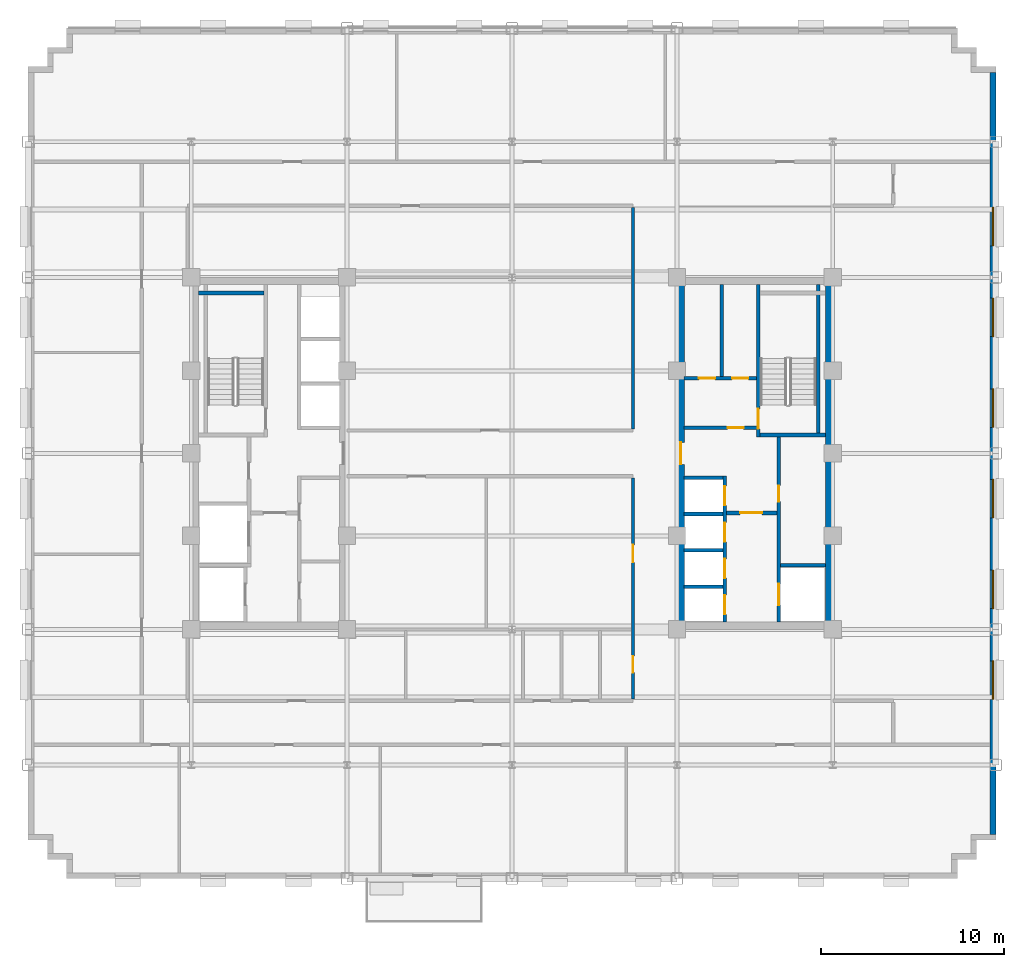
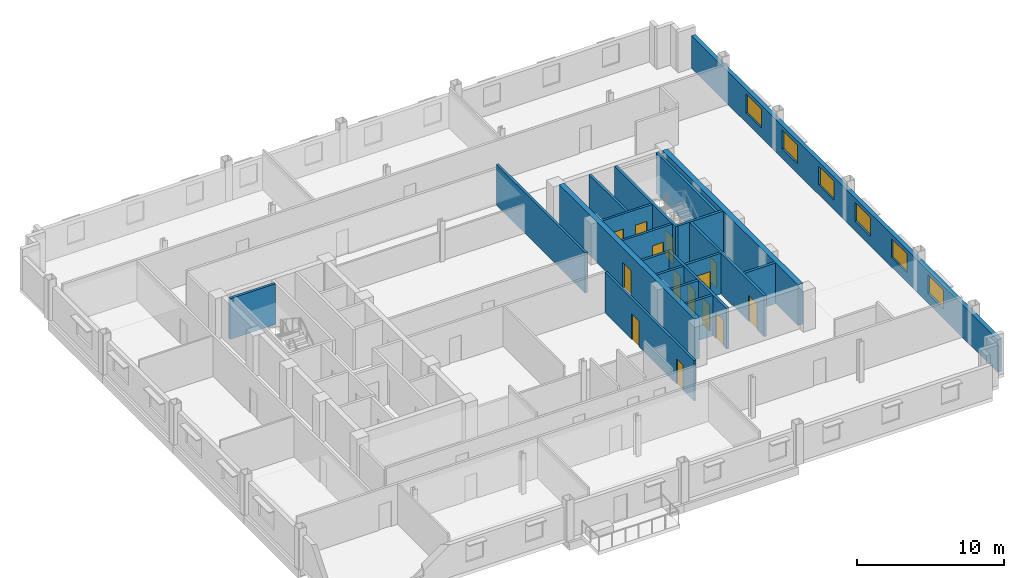
# One storey, part 8 of 13: 20 walls, 14 doors, 6 windows, 20 openings.
"""IFC4 building model written with IfcOpenShell, lengths in metres."""

from ifc_helpers import new_model, si_unit, direction, frame, frame_2d, origin, place, context, subcontext, project, spatial, rectangle, extrude, source, transform, mapped, material, layer, layer_set, type_object, type_shapes, element, fill, save


model = new_model("IFC4")

# Units and contexts
model_context = context("Model", 3, precision=1e-05, world=origin(), true_north=direction((0.0, 1.0)))
body_context = subcontext(model_context, "Body", "Model", "MODEL_VIEW")
ifc_project = project(units=[si_unit("LENGTHUNIT", "METRE"), si_unit("AREAUNIT", "SQUARE_METRE"), si_unit("VOLUMEUNIT", "CUBIC_METRE"), si_unit("PLANEANGLEUNIT", "RADIAN"), si_unit("MASSUNIT", "GRAM", prefix="KILO")], contexts=[model_context])

# Site, building, storey
site_placement = place(None, origin())
site = spatial("IfcSite", under=ifc_project, at=site_placement, CompositionType="ELEMENT")
building_placement = place(site_placement, origin())
building = spatial("IfcBuilding", under=site, at=building_placement, Name="Nuvemarco Arch Tower", CompositionType="ELEMENT")
storey_placement = place(building_placement, frame((0.0, 0.0, 153.050048828125)))
storey = spatial("IfcBuildingStorey", under=building, at=storey_placement, Name="L40", CompositionType="ELEMENT", Elevation=153.050048828125)

# Wall, openings, windows
ifc_material_1 = material(Name="Precast concrete C45/55", Category="concrete")
ifc_layer_1 = layer(ifc_material_1, 0.320068359375, Name="EW-MID-320")
ifc_layer_set_1 = layer_set([ifc_layer_1], Name="Precast concrete C45/55")
wall_type_1 = type_object("IfcWallType", Name="EW-MID-320", PredefinedType="STANDARD", material=ifc_layer_set_1)
wall_1_placement = place(storey_placement, frame((26.239990234375, -20.783935546875, 0.0), z_axis=(0.0, 0.0, 1.0), x_axis=(0.0, 1.0, 0.0)))
wall_1 = element("IfcWall", 1, at=wall_1_placement, inside=storey, type_object=wall_type_1, Name="L40 exterior precast facade wall 6", PredefinedType="STANDARD", context=body_context, shape_type="SweptSolid", body=[
    extrude(rectangle(XDim=41.56787109375, YDim=0.320068359375, at=frame_2d((20.783935546875, 0.0))), origin(), (0.0, 0.0, 1.0), 2.704833984375),
])
opening_1_placement = place(wall_1_placement, frame((7.368896484375, 0.0, 0.800048828125)))
opening_1 = element("IfcOpeningElement", 2, at=opening_1_placement, cuts=wall_1, Name="Opening WN-5", PredefinedType="OPENING", context=body_context, shape_type="SweptSolid", body=[
    extrude(rectangle(XDim=2.10009765625, YDim=1.56005859375, at=frame_2d((1.050048828125, 0.780029296875))), frame((0.0, 0.169921875, 0.0), z_axis=(0.0, -1.0, 0.0), x_axis=(1.0, 0.0, 0.0)), (0.0, 0.0, 1.0), 0.340087890625),
])
opening_2_placement = place(wall_1_placement, frame((12.31494140625, 0.0, 0.800048828125)))
opening_2 = element("IfcOpeningElement", 3, at=opening_2_placement, cuts=wall_1, Name="Opening WN-5", PredefinedType="OPENING", context=body_context, shape_type="SweptSolid", body=[
    extrude(rectangle(XDim=2.10009765625, YDim=1.56005859375, at=frame_2d((1.050048828125, 0.780029296875))), frame((0.0, 0.169921875, 0.0), z_axis=(0.0, -1.0, 0.0), x_axis=(1.0, 0.0, 0.0)), (0.0, 0.0, 1.0), 0.340087890625),
])
opening_3_placement = place(wall_1_placement, frame((17.260986328125, 0.0, 0.800048828125)))
opening_3 = element("IfcOpeningElement", 4, at=opening_3_placement, cuts=wall_1, Name="Opening WN-5", PredefinedType="OPENING", context=body_context, shape_type="SweptSolid", body=[
    extrude(rectangle(XDim=2.10009765625, YDim=1.56005859375, at=frame_2d((1.050048828125, 0.780029296875))), frame((0.0, 0.169921875, 0.0), z_axis=(0.0, -1.0, 0.0), x_axis=(1.0, 0.0, 0.0)), (0.0, 0.0, 1.0), 0.340087890625),
])
opening_4_placement = place(wall_1_placement, frame((22.20703125, 0.0, 0.800048828125)))
opening_4 = element("IfcOpeningElement", 5, at=opening_4_placement, cuts=wall_1, Name="Opening WN-5", PredefinedType="OPENING", context=body_context, shape_type="SweptSolid", body=[
    extrude(rectangle(XDim=2.10009765625, YDim=1.56005859375, at=frame_2d((1.050048828125, 0.780029296875))), frame((0.0, 0.169921875, 0.0), z_axis=(0.0, -1.0, 0.0), x_axis=(1.0, 0.0, 0.0)), (0.0, 0.0, 1.0), 0.340087890625),
])
opening_5_placement = place(wall_1_placement, frame((27.153076171875, 0.0, 0.800048828125)))
opening_5 = element("IfcOpeningElement", 6, at=opening_5_placement, cuts=wall_1, Name="Opening WN-5", PredefinedType="OPENING", context=body_context, shape_type="SweptSolid", body=[
    extrude(rectangle(XDim=2.10009765625, YDim=1.56005859375, at=frame_2d((1.050048828125, 0.780029296875))), frame((0.0, 0.169921875, 0.0), z_axis=(0.0, -1.0, 0.0), x_axis=(1.0, 0.0, 0.0)), (0.0, 0.0, 1.0), 0.340087890625),
])
opening_6_placement = place(wall_1_placement, frame((32.09912109375, 0.0, 0.800048828125)))
opening_6 = element("IfcOpeningElement", 7, at=opening_6_placement, cuts=wall_1, Name="Opening WN-5", PredefinedType="OPENING", context=body_context, shape_type="SweptSolid", body=[
    extrude(rectangle(XDim=2.10009765625, YDim=1.56005859375, at=frame_2d((1.050048828125, 0.780029296875))), frame((0.0, 0.169921875, 0.0), z_axis=(0.0, -1.0, 0.0), x_axis=(1.0, 0.0, 0.0)), (0.0, 0.0, 1.0), 0.340087890625),
])
ifc_material_2 = material(Name="Insulated solar-control glass", Category="glass")
window_type = type_object("IfcWindowType", Name="WN-MID-2100x1560", PartitioningType="DOUBLE_PANEL_VERTICAL", PredefinedType="WINDOW", material=ifc_material_2)
shared_shape_1 = source(origin(), body_context, "Body", "SweptSolid", [
    extrude(rectangle(XDim=2.10009765625, YDim=1.56005859375, at=frame_2d((1.050048828125, 0.780029296875))), frame((0.0, 0.030029296875, 0.0), z_axis=(0.0, -1.0, 0.0), x_axis=(1.0, 0.0, 0.0)), (0.0, 0.0, 1.0), 0.06005859375),
])
type_shapes(window_type, [shared_shape_1])
window_1_placement = place(opening_1_placement, origin())
window_1 = element("IfcWindow", 8, at=window_1_placement, inside=storey, type_object=window_type, Name="L40 punched facade window 2", OverallHeight=1.56005859375, OverallWidth=2.10009765625, PartitioningType="SINGLE_PANEL", PredefinedType="WINDOW", context=body_context, shape_type="MappedRepresentation", body=[
    mapped(shared_shape_1, transform((0.0, 0.0, 0.0), scale=1.0)),
])
fill(opening_1, window_1)
window_2_placement = place(opening_2_placement, origin())
window_2 = element("IfcWindow", 9, at=window_2_placement, inside=storey, type_object=window_type, Name="L40 punched facade window 3", OverallHeight=1.56005859375, OverallWidth=2.10009765625, PartitioningType="SINGLE_PANEL", PredefinedType="WINDOW", context=body_context, shape_type="MappedRepresentation", body=[
    mapped(shared_shape_1, transform((0.0, 0.0, 0.0), scale=1.0)),
])
fill(opening_2, window_2)
window_3_placement = place(opening_3_placement, origin())
window_3 = element("IfcWindow", 10, at=window_3_placement, inside=storey, type_object=window_type, Name="L40 punched facade window 4", OverallHeight=1.56005859375, OverallWidth=2.10009765625, PartitioningType="SINGLE_PANEL", PredefinedType="WINDOW", context=body_context, shape_type="MappedRepresentation", body=[
    mapped(shared_shape_1, transform((0.0, 0.0, 0.0), scale=1.0)),
])
fill(opening_3, window_3)
window_4_placement = place(opening_4_placement, origin())
window_4 = element("IfcWindow", 11, at=window_4_placement, inside=storey, type_object=window_type, Name="L40 punched facade window 5", OverallHeight=1.56005859375, OverallWidth=2.10009765625, PartitioningType="SINGLE_PANEL", PredefinedType="WINDOW", context=body_context, shape_type="MappedRepresentation", body=[
    mapped(shared_shape_1, transform((0.0, 0.0, 0.0), scale=1.0)),
])
fill(opening_4, window_4)
window_5_placement = place(opening_5_placement, origin())
window_5 = element("IfcWindow", 12, at=window_5_placement, inside=storey, type_object=window_type, Name="L40 punched facade window 6", OverallHeight=1.56005859375, OverallWidth=2.10009765625, PartitioningType="SINGLE_PANEL", PredefinedType="WINDOW", context=body_context, shape_type="MappedRepresentation", body=[
    mapped(shared_shape_1, transform((0.0, 0.0, 0.0), scale=1.0)),
])
fill(opening_5, window_5)
window_6_placement = place(opening_6_placement, origin())
window_6 = element("IfcWindow", 13, at=window_6_placement, inside=storey, type_object=window_type, Name="L40 punched facade window 7", OverallHeight=1.56005859375, OverallWidth=2.10009765625, PartitioningType="SINGLE_PANEL", PredefinedType="WINDOW", context=body_context, shape_type="MappedRepresentation", body=[
    mapped(shared_shape_1, transform((0.0, 0.0, 0.0), scale=1.0)),
])
fill(opening_6, window_6)

# Wall, opening, door
ifc_material_3 = material(Name="Concrete C60/75", Category="concrete")
ifc_layer_2 = layer(ifc_material_3, 0.39990234375, Name="WL-CORE-400")
ifc_layer_set_2 = layer_set([ifc_layer_2], Name="Concrete C60/75")
wall_type_2 = type_object("IfcWallType", Name="WL-CORE-400", PredefinedType="SHEAR", material=ifc_layer_set_2)
wall_2_placement = place(storey_placement, frame((9.199951171875, -9.205078125, 0.0), z_axis=(0.0, 0.0, 1.0), x_axis=(0.0, 1.0, 0.0)))
wall_2 = element("IfcWall", 14, at=wall_2_placement, inside=storey, type_object=wall_type_2, Name="L40 E-core shear wall W", PredefinedType="SHEAR", context=body_context, shape_type="SweptSolid", body=[
    extrude(rectangle(XDim=18.41015625, YDim=0.39990234375, at=frame_2d((9.205078125, 0.0))), origin(), (0.0, 0.0, 1.0), 3.369873046875),
])
opening_7_placement = place(wall_2_placement, frame((8.60498046875, 0.0, 0.0)))
opening_7 = element("IfcOpeningElement", 15, at=opening_7_placement, cuts=wall_2, Name="Opening FD-2", PredefinedType="OPENING", context=body_context, shape_type="SweptSolid", body=[
    extrude(rectangle(XDim=1.199951171875, YDim=2.14990234375, at=frame_2d((0.60009765625, 1.074951171875))), frame((0.0, 0.2099609375, 0.0), z_axis=(0.0, -1.0, 0.0), x_axis=(1.0, 0.0, 0.0)), (0.0, 0.0, 1.0), 0.419921875),
])
ifc_material_4 = material(Name="Anodised steel fire door", Category="steel")
door_type_1 = type_object("IfcDoorType", Name="DR-FFLOB-FD", OperationType="NOTDEFINED", PredefinedType="DOOR", material=ifc_material_4)
shared_shape_2 = source(origin(), body_context, "Body", "SweptSolid", [
    extrude(rectangle(XDim=1.199951171875, YDim=2.14990234375, at=frame_2d((0.60009765625, 1.074951171875))), frame((0.0, 0.02490234375, 0.0), z_axis=(0.0, -1.0, 0.0), x_axis=(1.0, 0.0, 0.0)), (0.0, 0.0, 1.0), 0.050048828125),
])
type_shapes(door_type_1, [shared_shape_2])
door_1_placement = place(opening_7_placement, origin())
door_1 = element("IfcDoor", 16, at=door_1_placement, inside=storey, type_object=door_type_1, Name="L40 door FD-L40-ECORE-W", OperationType="SINGLE_SWING_RIGHT", OverallHeight=2.14990234375, OverallWidth=1.199951171875, PredefinedType="DOOR", context=body_context, shape_type="MappedRepresentation", body=[
    mapped(shared_shape_2, transform((0.0, 0.0, 0.0), scale=1.0)),
])
fill(opening_7, door_1)

# Wall
wall_3_placement = place(storey_placement, frame((17.300048828125, -9.205078125, 0.0), z_axis=(0.0, 0.0, 1.0), x_axis=(0.0, 1.0, 0.0)))
element("IfcWall", 17, at=wall_3_placement, inside=storey, type_object=wall_type_2, Name="L40 E-core shear wall E", PredefinedType="SHEAR", context=body_context, shape_type="SweptSolid", body=[
    extrude(rectangle(XDim=18.41015625, YDim=0.39990234375, at=frame_2d((9.205078125, 0.0))), origin(), (0.0, 0.0, 1.0), 3.369873046875),
])

# Wall, opening, door
ifc_material_5 = material(Name="Fire-rated gypsum drywall partition")
ifc_layer_3 = layer(ifc_material_5, 0.179931640625, Name="WL-CORR-180")
ifc_layer_set_3 = layer_set([ifc_layer_3], Name="Fire-rated gypsum drywall partition")
wall_type_3 = type_object("IfcWallType", Name="WL-CORR-180", PredefinedType="PARTITIONING", material=ifc_layer_set_3)
wall_4_placement = place(storey_placement, frame((9.39501953125, 1.39990234375, 0.0), z_axis=(0.0, 0.0, 1.0), x_axis=(1.0, 0.0, 0.0)))
wall_4 = element("IfcWall", 18, at=wall_4_placement, inside=storey, type_object=wall_type_3, Name="L40 interior wall IW-L40-EK-S", PredefinedType="PARTITIONING", context=body_context, shape_type="SweptSolid", body=[
    extrude(rectangle(XDim=3.949951171875, YDim=0.179931640625, at=frame_2d((1.97509765625, 0.0))), origin(), (0.0, 0.0, 1.0), 3.35986328125),
])
opening_8_placement = place(wall_4_placement, frame((2.364990234375, 0.0, 0.0)))
opening_8 = element("IfcOpeningElement", 19, at=opening_8_placement, cuts=wall_4, Name="Opening FD-4", PredefinedType="OPENING", context=body_context, shape_type="SweptSolid", body=[
    extrude(rectangle(XDim=0.8798828125, YDim=2.10009765625, at=frame_2d((0.43994140625, 1.050048828125))), frame((0.0, 0.099853515625, 0.0), z_axis=(0.0, -1.0, 0.0), x_axis=(1.0, 0.0, 0.0)), (0.0, 0.0, 1.0), 0.199951171875),
])
door_type_2 = type_object("IfcDoorType", Name="DR-RISER-FD", OperationType="NOTDEFINED", PredefinedType="DOOR", material=ifc_material_4)
shared_shape_3 = source(origin(), body_context, "Body", "SweptSolid", [
    extrude(rectangle(XDim=0.8798828125, YDim=2.10009765625, at=frame_2d((0.43994140625, 1.050048828125))), frame((0.0, 0.02490234375, 0.0), z_axis=(0.0, -1.0, 0.0), x_axis=(1.0, 0.0, 0.0)), (0.0, 0.0, 1.0), 0.050048828125),
])
type_shapes(door_type_2, [shared_shape_3])
door_2_placement = place(opening_8_placement, origin())
door_2 = element("IfcDoor", 20, at=door_2_placement, inside=storey, type_object=door_type_2, Name="L40 door FD-L40-EK3A", OperationType="SINGLE_SWING_LEFT", OverallHeight=2.10009765625, OverallWidth=0.8798828125, PredefinedType="DOOR", context=body_context, shape_type="MappedRepresentation", body=[
    mapped(shared_shape_3, transform((0.0, 0.0, 0.0), scale=1.0)),
])
fill(opening_8, door_2)

# Wall, openings, doors
wall_5_placement = place(storey_placement, frame((9.39501953125, 4.10009765625, 0.0), z_axis=(0.0, 0.0, 1.0), x_axis=(1.0, 0.0, 0.0)))
wall_5 = element("IfcWall", 21, at=wall_5_placement, inside=storey, type_object=wall_type_3, Name="L40 interior wall IW-L40-EK3H", PredefinedType="PARTITIONING", context=body_context, shape_type="SweptSolid", body=[
    extrude(rectangle(XDim=3.949951171875, YDim=0.179931640625, at=frame_2d((1.97509765625, 0.0))), origin(), (0.0, 0.0, 1.0), 3.35986328125),
])
opening_9_placement = place(wall_5_placement, frame((0.800048828125, 0.0, 0.0)))
opening_9 = element("IfcOpeningElement", 22, at=opening_9_placement, cuts=wall_5, Name="Opening FD-4", PredefinedType="OPENING", context=body_context, shape_type="SweptSolid", body=[
    extrude(rectangle(XDim=0.8798828125, YDim=2.10009765625, at=frame_2d((0.43994140625, 1.050048828125))), frame((0.0, 0.099853515625, 0.0), z_axis=(0.0, -1.0, 0.0), x_axis=(1.0, 0.0, 0.0)), (0.0, 0.0, 1.0), 0.199951171875),
])
opening_10_placement = place(wall_5_placement, frame((2.614990234375, 0.0, 0.0)))
opening_10 = element("IfcOpeningElement", 23, at=opening_10_placement, cuts=wall_5, Name="Opening FD-4", PredefinedType="OPENING", context=body_context, shape_type="SweptSolid", body=[
    extrude(rectangle(XDim=0.8798828125, YDim=2.10009765625, at=frame_2d((0.43994140625, 1.050048828125))), frame((0.0, 0.099853515625, 0.0), z_axis=(0.0, -1.0, 0.0), x_axis=(1.0, 0.0, 0.0)), (0.0, 0.0, 1.0), 0.199951171875),
])
door_3_placement = place(opening_9_placement, origin())
door_3 = element("IfcDoor", 24, at=door_3_placement, inside=storey, type_object=door_type_2, Name="L40 door FD-L40-EK3B", OperationType="SINGLE_SWING_RIGHT", OverallHeight=2.10009765625, OverallWidth=0.8798828125, PredefinedType="DOOR", context=body_context, shape_type="MappedRepresentation", body=[
    mapped(shared_shape_3, transform((0.0, 0.0, 0.0), scale=1.0)),
])
fill(opening_9, door_3)
door_4_placement = place(opening_10_placement, origin())
door_4 = element("IfcDoor", 25, at=door_4_placement, inside=storey, type_object=door_type_2, Name="L40 door FD-L40-EK3C", OperationType="SINGLE_SWING_LEFT", OverallHeight=2.10009765625, OverallWidth=0.8798828125, PredefinedType="DOOR", context=body_context, shape_type="MappedRepresentation", body=[
    mapped(shared_shape_3, transform((0.0, 0.0, 0.0), scale=1.0)),
])
fill(opening_10, door_4)

# Wall
wall_6_placement = place(storey_placement, frame((11.449951171875, 4.18994140625, 0.0), z_axis=(0.0, 0.0, 1.0), x_axis=(0.0, 1.0, 0.0)))
element("IfcWall", 26, at=wall_6_placement, inside=storey, type_object=wall_type_3, Name="L40 interior wall IW-L40-EK3V", PredefinedType="PARTITIONING", context=body_context, shape_type="SweptSolid", body=[
    extrude(rectangle(XDim=5.01513671875, YDim=0.179931640625, at=frame_2d((2.507568359375, 0.0))), origin(), (0.0, 0.0, 1.0), 3.35986328125),
])

# Wall, openings, doors
wall_7_placement = place(storey_placement, frame((6.60009765625, -13.4140625, 0.0), z_axis=(0.0, 0.0, 1.0), x_axis=(0.0, 1.0, 0.0)))
wall_7 = element("IfcWall", 27, at=wall_7_placement, inside=storey, type_object=wall_type_3, Name="L40 interior wall IW-L40-027", PredefinedType="PARTITIONING", context=body_context, shape_type="SweptSolid", body=[
    extrude(rectangle(XDim=12.078125, YDim=0.179931640625, at=frame_2d((6.0390625, 0.0))), origin(), (0.0, 0.0, 1.0), 3.35986328125),
])
opening_11_placement = place(wall_7_placement, frame((7.466064453125, 0.0, 0.0)))
opening_11 = element("IfcOpeningElement", 28, at=opening_11_placement, cuts=wall_7, Name="Opening FD-5", PredefinedType="OPENING", context=body_context, shape_type="SweptSolid", body=[
    extrude(rectangle(XDim=0.9599609375, YDim=2.10009765625, at=frame_2d((0.47998046875, 1.050048828125))), frame((0.0, 0.099853515625, 0.0), z_axis=(0.0, -1.0, 0.0), x_axis=(1.0, 0.0, 0.0)), (0.0, 0.0, 1.0), 0.199951171875),
])
opening_12_placement = place(wall_7_placement, frame((1.45703125, 0.0, 0.0)))
opening_12 = element("IfcOpeningElement", 29, at=opening_12_placement, cuts=wall_7, Name="Opening ID-3", PredefinedType="OPENING", context=body_context, shape_type="SweptSolid", body=[
    extrude(rectangle(XDim=0.89990234375, YDim=2.10009765625, at=frame_2d((0.449951171875, 1.050048828125))), frame((0.0, 0.099853515625, 0.0), z_axis=(0.0, -1.0, 0.0), x_axis=(1.0, 0.0, 0.0)), (0.0, 0.0, 1.0), 0.199951171875),
])
ifc_material_6 = material(Name="Timber fire door", Category="wood")
door_type_3 = type_object("IfcDoorType", Name="DR-CORR-FD", OperationType="NOTDEFINED", PredefinedType="DOOR", material=ifc_material_6)
shared_shape_4 = source(origin(), body_context, "Body", "SweptSolid", [
    extrude(rectangle(XDim=0.9599609375, YDim=2.10009765625, at=frame_2d((0.47998046875, 1.050048828125))), frame((0.0, 0.02490234375, 0.0), z_axis=(0.0, -1.0, 0.0), x_axis=(1.0, 0.0, 0.0)), (0.0, 0.0, 1.0), 0.050048828125),
])
type_shapes(door_type_3, [shared_shape_4])
door_5_placement = place(opening_11_placement, origin())
door_5 = element("IfcDoor", 30, at=door_5_placement, inside=storey, type_object=door_type_3, Name="L40 door DR-L40-C_S2", OperationType="SINGLE_SWING_RIGHT", OverallHeight=2.10009765625, OverallWidth=0.9599609375, PredefinedType="DOOR", context=body_context, shape_type="MappedRepresentation", body=[
    mapped(shared_shape_4, transform((0.0, 0.0, 0.0), scale=1.0)),
])
fill(opening_11, door_5)
ifc_material_7 = material(Name="Veneered oak timber fire door", Category="wood")
door_type_4 = type_object("IfcDoorType", Name="DR-WC-ACC", OperationType="NOTDEFINED", PredefinedType="DOOR", material=ifc_material_7)
shared_shape_5 = source(origin(), body_context, "Body", "SweptSolid", [
    extrude(rectangle(XDim=0.89990234375, YDim=2.10009765625, at=frame_2d((0.449951171875, 1.050048828125))), frame((0.0, 0.02490234375, 0.0), z_axis=(0.0, -1.0, 0.0), x_axis=(1.0, 0.0, 0.0)), (0.0, 0.0, 1.0), 0.050048828125),
])
type_shapes(door_type_4, [shared_shape_5])
door_6_placement = place(opening_12_placement, origin())
door_6 = element("IfcDoor", 31, at=door_6_placement, inside=storey, type_object=door_type_4, Name="L40 door DR-L40-WC_ACC", OperationType="SINGLE_SWING_LEFT", OverallHeight=2.10009765625, OverallWidth=0.89990234375, PredefinedType="DOOR", context=body_context, shape_type="MappedRepresentation", body=[
    mapped(shared_shape_5, transform((0.0, 0.0, 0.0), scale=1.0)),
])
fill(opening_12, door_6)

# Walls
wall_8_placement = place(storey_placement, frame((6.60009765625, 1.3359375, 0.0), z_axis=(0.0, 0.0, 1.0), x_axis=(0.0, 1.0, 0.0)))
element("IfcWall", 32, at=wall_8_placement, inside=storey, type_object=wall_type_3, Name="L40 interior wall IW-L40-028", PredefinedType="PARTITIONING", context=body_context, shape_type="SweptSolid", body=[
    extrude(rectangle(XDim=12.078125, YDim=0.179931640625, at=frame_2d((6.0390625, 0.0))), origin(), (0.0, 0.0, 1.0), 3.35986328125),
])
ifc_material_8 = material(Name="Concrete C50/60", Category="concrete")
ifc_layer_4 = layer(ifc_material_8, 0.199951171875, Name="WL-SHAFT-220")
ifc_layer_set_4 = layer_set([ifc_layer_4], Name="Concrete C50/60")
wall_type_4 = type_object("IfcWallType", Name="WL-SHAFT-220", PredefinedType="SHEAR", material=ifc_layer_set_4)
wall_9_placement = place(storey_placement, frame((-17.10498046875, 8.75, 0.0), z_axis=(0.0, 0.0, 1.0), x_axis=(1.0, 0.0, 0.0)))
element("IfcWall", 33, at=wall_9_placement, inside=storey, type_object=wall_type_4, Name="L40 structural shaft wall SW-L40-W-ST1N", PredefinedType="SHEAR", context=body_context, shape_type="SweptSolid", body=[
    extrude(rectangle(XDim=3.570068359375, YDim=0.199951171875, at=frame_2d((1.78515625, 0.0))), origin(), (0.0, 0.0, 1.0), 3.369873046875),
])

# Wall, opening, door
wall_10_placement = place(storey_placement, frame((13.43994140625, 0.89990234375, 0.0), z_axis=(0.0, 0.0, 1.0), x_axis=(0.0, 1.0, 0.0)))
wall_10 = element("IfcWall", 34, at=wall_10_placement, inside=storey, type_object=wall_type_4, Name="L40 structural shaft wall SW-L40-E-ST2W", PredefinedType="SHEAR", context=body_context, shape_type="SweptSolid", body=[
    extrude(rectangle(XDim=8.30517578125, YDim=0.199951171875, at=frame_2d((4.152587890625, 0.0))), origin(), (0.0, 0.0, 1.0), 3.369873046875),
])
opening_13_placement = place(wall_10_placement, frame((0.429931640625, 0.0, 0.0)))
opening_13 = element("IfcOpeningElement", 35, at=opening_13_placement, cuts=wall_10, Name="Opening FD-1", PredefinedType="OPENING", context=body_context, shape_type="SweptSolid", body=[
    extrude(rectangle(XDim=1.10009765625, YDim=2.14990234375, at=frame_2d((0.550048828125, 1.074951171875))), frame((0.0, 0.10986328125, 0.0), z_axis=(0.0, -1.0, 0.0), x_axis=(1.0, 0.0, 0.0)), (0.0, 0.0, 1.0), 0.219970703125),
])
door_type_5 = type_object("IfcDoorType", Name="DR-STAIR-FD", OperationType="NOTDEFINED", PredefinedType="DOOR", material=ifc_material_4)
shared_shape_6 = source(origin(), body_context, "Body", "SweptSolid", [
    extrude(rectangle(XDim=1.10009765625, YDim=2.14990234375, at=frame_2d((0.550048828125, 1.074951171875))), frame((0.0, 0.02490234375, 0.0), z_axis=(0.0, -1.0, 0.0), x_axis=(1.0, 0.0, 0.0)), (0.0, 0.0, 1.0), 0.050048828125),
])
type_shapes(door_type_5, [shared_shape_6])
door_7_placement = place(opening_13_placement, origin())
door_7 = element("IfcDoor", 36, at=door_7_placement, inside=storey, type_object=door_type_5, Name="L40 door FD-L40-ST2", OperationType="SINGLE_SWING_RIGHT", OverallHeight=2.14990234375, OverallWidth=1.10009765625, PredefinedType="DOOR", context=body_context, shape_type="MappedRepresentation", body=[
    mapped(shared_shape_6, transform((0.0, 0.0, 0.0), scale=1.0)),
])
fill(opening_13, door_7)

# Walls
wall_11_placement = place(storey_placement, frame((13.534912109375, 1.0, 0.0), z_axis=(0.0, 0.0, 1.0), x_axis=(1.0, 0.0, 0.0)))
element("IfcWall", 37, at=wall_11_placement, inside=storey, type_object=wall_type_4, Name="L40 structural shaft wall SW-L40-E-ST2S", PredefinedType="SHEAR", context=body_context, shape_type="SweptSolid", body=[
    extrude(rectangle(XDim=3.570068359375, YDim=0.199951171875, at=frame_2d((1.78515625, 0.0))), origin(), (0.0, 0.0, 1.0), 3.369873046875),
])
wall_12_placement = place(storey_placement, frame((16.699951171875, 1.094970703125, 0.0), z_axis=(0.0, 0.0, 1.0), x_axis=(0.0, 1.0, 0.0)))
element("IfcWall", 38, at=wall_12_placement, inside=storey, type_object=wall_type_4, Name="L40 structural shaft wall SW-L40-E-ST2E", PredefinedType="SHEAR", context=body_context, shape_type="SweptSolid", body=[
    extrude(rectangle(XDim=8.110107421875, YDim=0.199951171875, at=frame_2d((4.05517578125, 0.0))), origin(), (0.0, 0.0, 1.0), 3.369873046875),
])

# Wall, openings, doors
wall_13_placement = place(storey_placement, frame((14.550048828125, -9.205078125, 0.0), z_axis=(0.0, 0.0, 1.0), x_axis=(0.0, 1.0, 0.0)))
wall_13 = element("IfcWall", 39, at=wall_13_placement, inside=storey, type_object=wall_type_4, Name="L40 structural shaft wall SW-L40-E-SHW", PredefinedType="SHEAR", context=body_context, shape_type="SweptSolid", body=[
    extrude(rectangle(XDim=10.110107421875, YDim=0.199951171875, at=frame_2d((5.05517578125, 0.0))), origin(), (0.0, 0.0, 1.0), 3.369873046875),
])
opening_14_placement = place(wall_13_placement, frame((6.56494140625, 0.0, 0.0)))
opening_14 = element("IfcOpeningElement", 40, at=opening_14_placement, cuts=wall_13, Name="Opening FD-4", PredefinedType="OPENING", context=body_context, shape_type="SweptSolid", body=[
    extrude(rectangle(XDim=0.8798828125, YDim=2.10009765625, at=frame_2d((0.43994140625, 1.050048828125))), frame((0.0, 0.10986328125, 0.0), z_axis=(0.0, -1.0, 0.0), x_axis=(1.0, 0.0, 0.0)), (0.0, 0.0, 1.0), 0.219970703125),
])
opening_15_placement = place(wall_13_placement, frame((0.929931640625, 0.0, 0.0)))
opening_15 = element("IfcOpeningElement", 41, at=opening_15_placement, cuts=wall_13, Name="Opening LD-2", PredefinedType="OPENING", context=body_context, shape_type="SweptSolid", body=[
    extrude(rectangle(XDim=1.14990234375, YDim=2.14990234375, at=frame_2d((0.574951171875, 1.074951171875))), frame((0.0, 0.10986328125, 0.0), z_axis=(0.0, -1.0, 0.0), x_axis=(1.0, 0.0, 0.0)), (0.0, 0.0, 1.0), 0.219970703125),
])
door_8_placement = place(opening_14_placement, origin())
door_8 = element("IfcDoor", 42, at=door_8_placement, inside=storey, type_object=door_type_2, Name="L40 door FD-L40-ERIS", OperationType="SINGLE_SWING_RIGHT", OverallHeight=2.10009765625, OverallWidth=0.8798828125, PredefinedType="DOOR", context=body_context, shape_type="MappedRepresentation", body=[
    mapped(shared_shape_3, transform((0.0, 0.0, 0.0), scale=1.0)),
])
fill(opening_14, door_8)
ifc_material_9 = material(Name="Stainless steel lift door", Category="steel")
door_type_6 = type_object("IfcDoorType", Name="DR-LIFT-FIRE", OperationType="DOUBLE_DOOR_SLIDING", PredefinedType="DOOR", material=ifc_material_9)
shared_shape_7 = source(origin(), body_context, "Body", "SweptSolid", [
    extrude(rectangle(XDim=1.14990234375, YDim=2.14990234375, at=frame_2d((0.574951171875, 1.074951171875))), frame((0.0, 0.02490234375, 0.0), z_axis=(0.0, -1.0, 0.0), x_axis=(1.0, 0.0, 0.0)), (0.0, 0.0, 1.0), 0.050048828125),
])
type_shapes(door_type_6, [shared_shape_7])
door_9_placement = place(opening_15_placement, origin())
door_9 = element("IfcDoor", 43, at=door_9_placement, inside=storey, type_object=door_type_6, Name="L40 Lift landing sliding door FFL-2", OperationType="DOUBLE_DOOR_SLIDING", OverallHeight=2.14990234375, OverallWidth=1.14990234375, PredefinedType="DOOR", context=body_context, shape_type="MappedRepresentation", body=[
    mapped(shared_shape_7, transform((0.0, 0.0, 0.0), scale=1.0)),
])
fill(opening_15, door_9)

# Wall
wall_14_placement = place(storey_placement, frame((14.64501953125, -6.10009765625, 0.0), z_axis=(0.0, 0.0, 1.0), x_axis=(1.0, 0.0, 0.0)))
element("IfcWall", 44, at=wall_14_placement, inside=storey, type_object=wall_type_4, Name="L40 structural shaft wall SW-L40-E-SH1", PredefinedType="SHEAR", context=body_context, shape_type="SweptSolid", body=[
    extrude(rectangle(XDim=2.4599609375, YDim=0.199951171875, at=frame_2d((1.22998046875, 0.0))), origin(), (0.0, 0.0, 1.0), 3.369873046875),
])

# Wall, openings, doors
wall_15_placement = place(storey_placement, frame((11.60009765625, -9.205078125, 0.0), z_axis=(0.0, 0.0, 1.0), x_axis=(0.0, 1.0, 0.0)))
wall_15 = element("IfcWall", 45, at=wall_15_placement, inside=storey, type_object=wall_type_4, Name="L40 structural shaft wall SW-L40-E-PME", PredefinedType="SHEAR", context=body_context, shape_type="SweptSolid", body=[
    extrude(rectangle(XDim=7.97509765625, YDim=0.199951171875, at=frame_2d((3.987548828125, 0.0))), origin(), (0.0, 0.0, 1.0), 3.369873046875),
])
opening_16_placement = place(wall_15_placement, frame((0.419921875, 0.0, 0.0)))
opening_16 = element("IfcOpeningElement", 46, at=opening_16_placement, cuts=wall_15, Name="Opening LD-1", PredefinedType="OPENING", context=body_context, shape_type="SweptSolid", body=[
    extrude(rectangle(XDim=1.050048828125, YDim=2.14990234375, at=frame_2d((0.52490234375, 1.074951171875))), frame((0.0, 0.10986328125, 0.0), z_axis=(0.0, -1.0, 0.0), x_axis=(1.0, 0.0, 0.0)), (0.0, 0.0, 1.0), 0.219970703125),
])
opening_17_placement = place(wall_15_placement, frame((2.39990234375, 0.0, 0.0)))
opening_17 = element("IfcOpeningElement", 47, at=opening_17_placement, cuts=wall_15, Name="Opening LD-1", PredefinedType="OPENING", context=body_context, shape_type="SweptSolid", body=[
    extrude(rectangle(XDim=1.050048828125, YDim=2.14990234375, at=frame_2d((0.52490234375, 1.074951171875))), frame((0.0, 0.10986328125, 0.0), z_axis=(0.0, -1.0, 0.0), x_axis=(1.0, 0.0, 0.0)), (0.0, 0.0, 1.0), 0.219970703125),
])
opening_18_placement = place(wall_15_placement, frame((4.3798828125, 0.0, 0.0)))
opening_18 = element("IfcOpeningElement", 48, at=opening_18_placement, cuts=wall_15, Name="Opening LD-1", PredefinedType="OPENING", context=body_context, shape_type="SweptSolid", body=[
    extrude(rectangle(XDim=1.050048828125, YDim=2.14990234375, at=frame_2d((0.52490234375, 1.074951171875))), frame((0.0, 0.10986328125, 0.0), z_axis=(0.0, -1.0, 0.0), x_axis=(1.0, 0.0, 0.0)), (0.0, 0.0, 1.0), 0.219970703125),
])
opening_19_placement = place(wall_15_placement, frame((6.360107421875, 0.0, 0.0)))
opening_19 = element("IfcOpeningElement", 49, at=opening_19_placement, cuts=wall_15, Name="Opening LD-1", PredefinedType="OPENING", context=body_context, shape_type="SweptSolid", body=[
    extrude(rectangle(XDim=1.050048828125, YDim=2.14990234375, at=frame_2d((0.52490234375, 1.074951171875))), frame((0.0, 0.10986328125, 0.0), z_axis=(0.0, -1.0, 0.0), x_axis=(1.0, 0.0, 0.0)), (0.0, 0.0, 1.0), 0.219970703125),
])
door_type_7 = type_object("IfcDoorType", Name="DR-LIFT-PASS", OperationType="DOUBLE_DOOR_SLIDING", PredefinedType="DOOR", material=ifc_material_9)
shared_shape_8 = source(origin(), body_context, "Body", "SweptSolid", [
    extrude(rectangle(XDim=1.050048828125, YDim=2.14990234375, at=frame_2d((0.52490234375, 1.074951171875))), frame((0.0, 0.02490234375, 0.0), z_axis=(0.0, -1.0, 0.0), x_axis=(1.0, 0.0, 0.0)), (0.0, 0.0, 1.0), 0.050048828125),
])
type_shapes(door_type_7, [shared_shape_8])
door_10_placement = place(opening_16_placement, origin())
door_10 = element("IfcDoor", 50, at=door_10_placement, inside=storey, type_object=door_type_7, Name="L40 Lift landing sliding door PM-1", OperationType="DOUBLE_DOOR_SLIDING", OverallHeight=2.14990234375, OverallWidth=1.050048828125, PredefinedType="DOOR", context=body_context, shape_type="MappedRepresentation", body=[
    mapped(shared_shape_8, transform((0.0, 0.0, 0.0), scale=1.0)),
])
fill(opening_16, door_10)
door_11_placement = place(opening_17_placement, origin())
door_11 = element("IfcDoor", 51, at=door_11_placement, inside=storey, type_object=door_type_7, Name="L40 Lift landing sliding door PM-2", OperationType="DOUBLE_DOOR_SLIDING", OverallHeight=2.14990234375, OverallWidth=1.050048828125, PredefinedType="DOOR", context=body_context, shape_type="MappedRepresentation", body=[
    mapped(shared_shape_8, transform((0.0, 0.0, 0.0), scale=1.0)),
])
fill(opening_17, door_11)
door_12_placement = place(opening_18_placement, origin())
door_12 = element("IfcDoor", 52, at=door_12_placement, inside=storey, type_object=door_type_7, Name="L40 Lift landing sliding door PM-3", OperationType="DOUBLE_DOOR_SLIDING", OverallHeight=2.14990234375, OverallWidth=1.050048828125, PredefinedType="DOOR", context=body_context, shape_type="MappedRepresentation", body=[
    mapped(shared_shape_8, transform((0.0, 0.0, 0.0), scale=1.0)),
])
fill(opening_18, door_12)
door_13_placement = place(opening_19_placement, origin())
door_13 = element("IfcDoor", 53, at=door_13_placement, inside=storey, type_object=door_type_7, Name="L40 Lift landing sliding door PM-4", OperationType="DOUBLE_DOOR_SLIDING", OverallHeight=2.14990234375, OverallWidth=1.050048828125, PredefinedType="DOOR", context=body_context, shape_type="MappedRepresentation", body=[
    mapped(shared_shape_8, transform((0.0, 0.0, 0.0), scale=1.0)),
])
fill(opening_19, door_13)

# Wall, opening, door
wall_16_placement = place(storey_placement, frame((11.695068359375, -3.25, 0.0), z_axis=(0.0, 0.0, 1.0), x_axis=(1.0, 0.0, 0.0)))
wall_16 = element("IfcWall", 54, at=wall_16_placement, inside=storey, type_object=wall_type_4, Name="L40 structural shaft wall SW-L40-E-FFN", PredefinedType="SHEAR", context=body_context, shape_type="SweptSolid", body=[
    extrude(rectangle(XDim=2.760009765625, YDim=0.199951171875, at=frame_2d((1.3798828125, 0.0))), origin(), (0.0, 0.0, 1.0), 3.369873046875),
])
opening_20_placement = place(wall_16_placement, frame((0.7548828125, 0.0, 0.0)))
opening_20 = element("IfcOpeningElement", 55, at=opening_20_placement, cuts=wall_16, Name="Opening FD-2", PredefinedType="OPENING", context=body_context, shape_type="SweptSolid", body=[
    extrude(rectangle(XDim=1.199951171875, YDim=2.14990234375, at=frame_2d((0.60009765625, 1.074951171875))), frame((0.0, 0.10986328125, 0.0), z_axis=(0.0, -1.0, 0.0), x_axis=(1.0, 0.0, 0.0)), (0.0, 0.0, 1.0), 0.219970703125),
])
door_14_placement = place(opening_20_placement, origin())
door_14 = element("IfcDoor", 56, at=door_14_placement, inside=storey, type_object=door_type_1, Name="L40 door FD-L40-EFF2", OperationType="SINGLE_SWING_RIGHT", OverallHeight=2.14990234375, OverallWidth=1.199951171875, PredefinedType="DOOR", context=body_context, shape_type="MappedRepresentation", body=[
    mapped(shared_shape_2, transform((0.0, 0.0, 0.0), scale=1.0)),
])
fill(opening_20, door_14)

# Walls
for number, where, z_axis, x_axis, name in (
    (57, (9.39501953125, -7.27001953125, 0.0), (0.0, 0.0, 1.0), (1.0, 0.0, 0.0), "L40 structural shaft wall SW-L40-E-PMD1"),
    (58, (9.39501953125, -5.2900390625, 0.0), (0.0, 0.0, 1.0), (1.0, 0.0, 0.0), "L40 structural shaft wall SW-L40-E-PMD2"),
    (59, (9.39501953125, -3.31005859375, 0.0), (0.0, 0.0, 1.0), (1.0, 0.0, 0.0), "L40 structural shaft wall SW-L40-E-PMD3"),
    (60, (9.39501953125, -1.330078125, 0.0), (0.0, 0.0, 1.0), (1.0, 0.0, 0.0), "L40 structural shaft wall SW-L40-E-PMD4"),
):
    element("IfcWall", number, at=place(storey_placement, frame(where, z_axis=z_axis, x_axis=x_axis)), inside=storey, type_object=wall_type_4, Name=name, PredefinedType="SHEAR", context=body_context, shape_type="SweptSolid", body=[
        extrude(rectangle(XDim=2.10986328125, YDim=0.199951171875, at=frame_2d((1.054931640625, 0.0))), origin(), (0.0, 0.0, 1.0), 3.369873046875),
    ])

save(model, "model.ifc")
